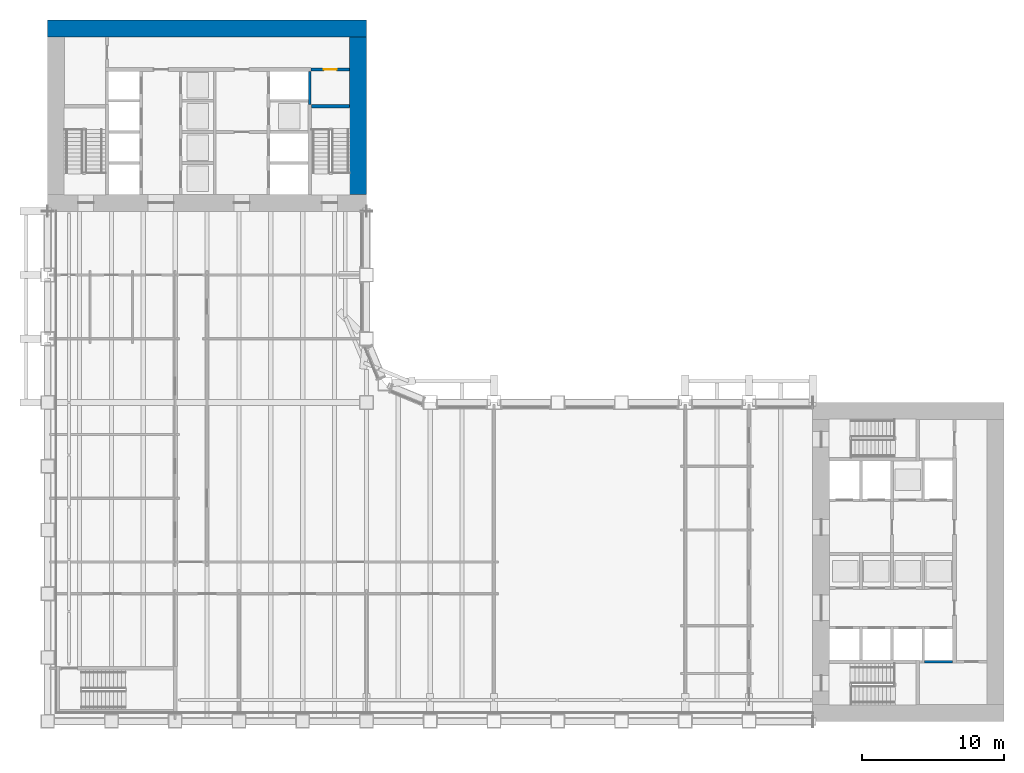
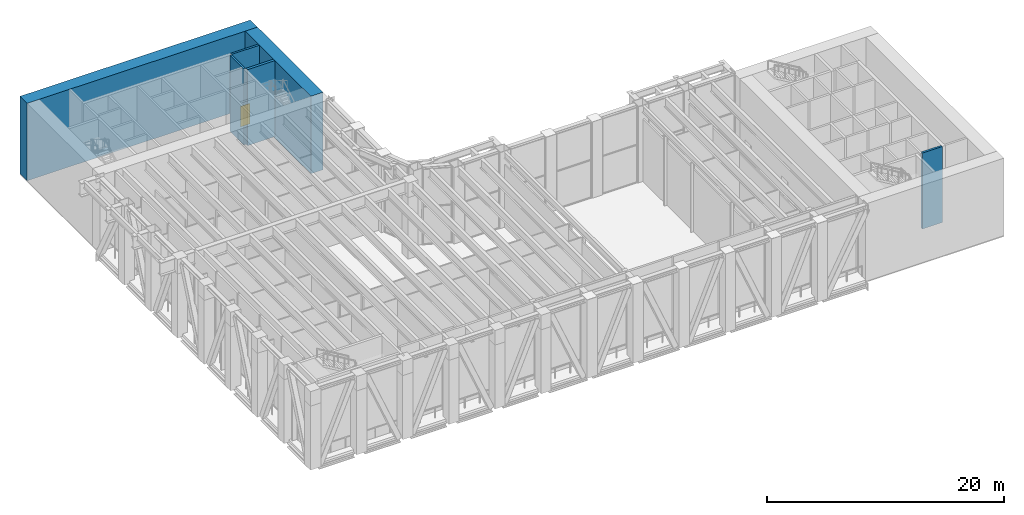
# One storey, part 13 of 21: 6 walls, 1 door, 1 opening.
"""IFC4 building model written with IfcOpenShell, lengths in metres."""

from ifc_helpers import new_model, si_unit, direction, frame, frame_2d, origin, place, context, subcontext, project, spatial, rectangle, extrude, material, layer, layer_set, type_object, element, fill, save


model = new_model("IFC4")

# Units and contexts
model_context = context("Model", 3, precision=1e-05, world=origin(), true_north=direction((0.0, 1.0)))
body_context = subcontext(model_context, "Body", "Model", "MODEL_VIEW")
ifc_project = project(units=[si_unit("LENGTHUNIT", "METRE"), si_unit("AREAUNIT", "SQUARE_METRE"), si_unit("VOLUMEUNIT", "CUBIC_METRE"), si_unit("PLANEANGLEUNIT", "RADIAN"), si_unit("MASSUNIT", "GRAM", prefix="KILO")], contexts=[model_context])

# Site, building, storey
site_placement = place(None, origin())
site = spatial("IfcSite", under=ifc_project, at=site_placement, CompositionType="ELEMENT")
building_placement = place(site_placement, origin())
building = spatial("IfcBuilding", under=site, at=building_placement, Name="Sennacour Bend Tower", CompositionType="ELEMENT")
storey_placement = place(building_placement, frame((0.0, 0.0, 131.0)))
storey = spatial("IfcBuildingStorey", under=building, at=storey_placement, Name="L30", CompositionType="ELEMENT", Elevation=131.0)

# Walls
ifc_material_1 = material(Name="Concrete C80/95", Category="concrete")
ifc_layer_1 = layer(ifc_material_1, 1.199951171875, Name="Concrete C80/95", Category="concrete")
ifc_layer_set_1 = layer_set([ifc_layer_1], Name="Concrete C80/95")
wall_type_1 = type_object("IfcWallType", Name="Core wall 1200 C80/95", PredefinedType="SHEAR", material=ifc_layer_set_1)
wall_1_placement = place(storey_placement, frame((0.0, 48.89990234375, -0.14990234375), z_axis=(0.0, 0.0, 1.0), x_axis=(1.0, 0.0, 0.0)))
element("IfcWall", 1, at=wall_1_placement, inside=storey, type_object=wall_type_1, Name="Core B wall L30 N", PredefinedType="SHEAR", context=body_context, shape_type="SweptSolid", body=[
    extrude(rectangle(XDim=22.5, YDim=1.199951171875, at=frame_2d((11.25, 0.0))), origin(), (0.0, 0.0, 1.0), 8.0),
])
wall_2_placement = place(storey_placement, frame((21.89990234375, 37.199951171875, -0.14990234375), z_axis=(0.0, 0.0, 1.0), x_axis=(0.0, 1.0, 0.0)))
element("IfcWall", 2, at=wall_2_placement, inside=storey, type_object=wall_type_1, Name="Core B wall L30 E", PredefinedType="SHEAR", context=body_context, shape_type="SweptSolid", body=[
    extrude(rectangle(XDim=11.10009765625, YDim=1.199951171875, at=frame_2d((5.550048828125, 0.0))), origin(), (0.0, 0.0, 1.0), 8.0),
])

# Wall, opening, door
ifc_material_2 = material(Name="Fire-rated plasterboard partition on steel studs", Category="steel")
ifc_layer_2 = layer(ifc_material_2, 0.199951171875, Name="Fire-rated plasterboard partition on steel studs", Category="steel")
ifc_layer_set_2 = layer_set([ifc_layer_2], Name="Fire-rated plasterboard partition on steel studs")
wall_type_2 = type_object("IfcWallType", Name="Rated partition 200", PredefinedType="PARTITIONING", material=ifc_layer_set_2)
wall_3_placement = place(storey_placement, frame((18.60009765625, 46.0, 0.0), z_axis=(0.0, 0.0, 1.0), x_axis=(1.0, 0.0, 0.0)))
wall_3 = element("IfcWall", 3, at=wall_3_placement, inside=storey, type_object=wall_type_2, Name="P-L30-W078", PredefinedType="PARTITIONING", context=body_context, shape_type="SweptSolid", body=[
    extrude(rectangle(XDim=2.699951171875, YDim=0.199951171875, at=frame_2d((1.35009765625, 0.0))), origin(), (0.0, 0.0, 1.0), 7.85009765625),
])
opening_placement = place(wall_3_placement, frame((0.89990234375, 0.0, 0.0)))
opening = element("IfcOpeningElement", 4, at=opening_placement, cuts=wall_3, Name="Opening SV", PredefinedType="OPENING", context=body_context, shape_type="SweptSolid", body=[
    extrude(rectangle(XDim=0.89990234375, YDim=2.10009765625, at=frame_2d((0.449951171875, 1.050048828125))), frame((0.0, 0.10986328125, 0.0), z_axis=(0.0, -1.0, 0.0), x_axis=(1.0, 0.0, 0.0)), (0.0, 0.0, 1.0), 0.219970703125),
])
ifc_material_3 = material(Name="Painted steel", Category="steel")
door_type = type_object("IfcDoorType", Name="DR-SERVICE-900", OperationType="NOTDEFINED", PredefinedType="DOOR", material=ifc_material_3)
door_placement = place(opening_placement, origin())
door = element("IfcDoor", 5, at=door_placement, inside=storey, type_object=door_type, Name="Door", OperationType="SINGLE_SWING_LEFT", OverallHeight=2.10009765625, OverallWidth=0.89990234375, PredefinedType="DOOR", context=body_context, shape_type="SweptSolid", body=[
    extrude(rectangle(XDim=0.89990234375, YDim=2.10009765625, at=frame_2d((0.449951171875, 1.050048828125))), frame((0.0, 0.02490234375, 0.0), z_axis=(0.0, -1.0, 0.0), x_axis=(1.0, 0.0, 0.0)), (0.0, 0.0, 1.0), 0.050048828125),
])
fill(opening, door)

# Walls
ifc_material_4 = material(Name="Concrete C50/60", Category="concrete")
ifc_layer_3 = layer(ifc_material_4, 0.199951171875, Name="Concrete C50/60", Category="concrete")
ifc_layer_set_3 = layer_set([ifc_layer_3], Name="Concrete C50/60")
wall_type_3 = type_object("IfcWallType", Name="Shaft wall 200", PredefinedType="SOLIDWALL", material=ifc_layer_set_3)
wall_4_placement = place(storey_placement, frame((18.5, 43.52490234375, 0.0), z_axis=(0.0, 0.0, 1.0), x_axis=(0.0, 1.0, 0.0)))
element("IfcWall", 6, at=wall_4_placement, inside=storey, type_object=wall_type_3, Name="P-L30-W019", PredefinedType="SOLIDWALL", context=body_context, shape_type="SweptSolid", body=[
    extrude(rectangle(XDim=2.3251953125, YDim=0.199951171875, at=frame_2d((1.16259765625, 0.0))), origin(), (0.0, 0.0, 1.0), 7.85009765625),
])
wall_5_placement = place(storey_placement, frame((61.89990234375, 4.199951171875, 0.0), z_axis=(0.0, 0.0, 1.0), x_axis=(1.0, 0.0, 0.0)))
element("IfcWall", 7, at=wall_5_placement, inside=storey, type_object=wall_type_3, Name="P-L30-W046b", PredefinedType="SOLIDWALL", context=body_context, shape_type="SweptSolid", body=[
    extrude(rectangle(XDim=1.9501953125, YDim=0.199951171875, at=frame_2d((0.97509765625, 0.0))), origin(), (0.0, 0.0, 1.0), 7.85009765625),
])
ifc_material_5 = material(Name="Concrete C60/75", Category="concrete")
ifc_layer_4 = layer(ifc_material_5, 0.25, Name="Concrete C60/75", Category="concrete")
ifc_layer_set_4 = layer_set([ifc_layer_4], Name="Concrete C60/75")
wall_type_4 = type_object("IfcWallType", Name="Stair wall 250", PredefinedType="SHEAR", material=ifc_layer_set_4)
wall_6_placement = place(storey_placement, frame((18.625, 43.39990234375, 0.0), z_axis=(0.0, 0.0, 1.0), x_axis=(1.0, 0.0, 0.0)))
element("IfcWall", 8, at=wall_6_placement, inside=storey, type_object=wall_type_4, Name="P-L30-W073", PredefinedType="SHEAR", context=body_context, shape_type="SweptSolid", body=[
    extrude(rectangle(XDim=2.675048828125, YDim=0.25, at=frame_2d((1.33740234375, 0.0))), origin(), (0.0, 0.0, 1.0), 7.85009765625),
])

save(model, "model.ifc")
